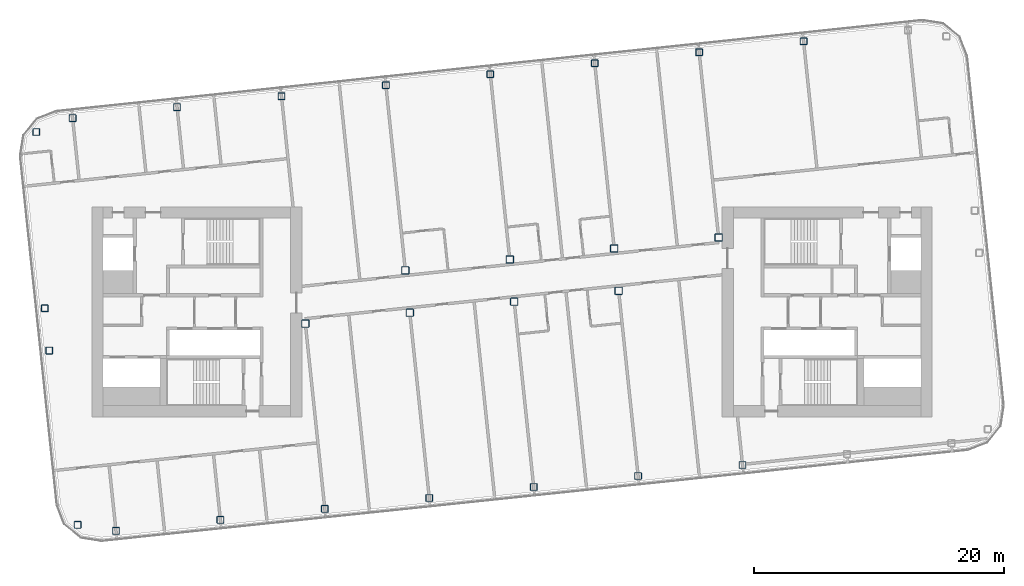
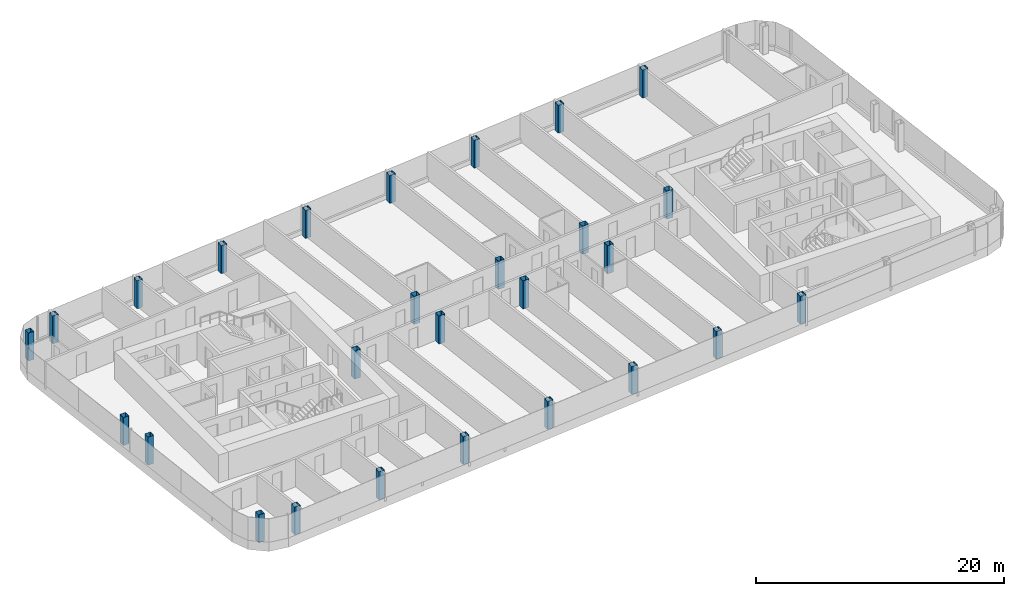
# One storey, part 1 of 27: 27 columns.
"""IFC4 building model written with IfcOpenShell, lengths in metres."""

import ifcopenshell
import ifcopenshell.guid

model = None  # the IFC model being written
_history = None  # IfcOwnerHistory: only IFC2X3 demands one
_inside = {}  # id of a spatial element -> (the spatial element, [elements in it])
_under = {}  # id of a project, library or spatial element -> (it, [spatial elements below it])
_declared = {}  # id of a project -> (the project, [libraries it declares])
_typed = {}  # id of a type object -> (the type object, [elements of that type])
_made_of = {}  # id of a material, layer set ... -> (it, [elements and type objects made of it])


def new_model(schema):
    """Start an empty IFC model of exactly this schema.

    Asked for "IFC4X3", IfcOpenShell would pick the latest addendum, in which some entities
    have other attributes; the version numbers below select the first issue.
    IFC2X3 requires an IfcOwnerHistory on every rooted entity: one is made here for all.
    """
    global model, _history
    if schema == "IFC4X3":
        model = ifcopenshell.file(schema_version=(4, 3, 0, 0))
    else:
        model = ifcopenshell.file(schema=schema)
    _inside.clear()
    _under.clear()
    _declared.clear()
    _typed.clear()
    _made_of.clear()
    _history = None
    if model.schema == "IFC2X3":
        org = make("IfcOrganization", Name="unknown")
        user = make(
            "IfcPersonAndOrganization",
            ThePerson=make("IfcPerson", FamilyName="unknown"),
            TheOrganization=org,
        )
        app = make(
            "IfcApplication",
            ApplicationDeveloper=org,
            Version="unknown",
            ApplicationFullName="unknown",
            ApplicationIdentifier="unknown",
        )
        _history = make(
            "IfcOwnerHistory",
            OwningUser=user,
            OwningApplication=app,
            ChangeAction="ADDED",
            CreationDate=0,
        )
    return model


def make(cls, **values):
    """One entity of the class cls with the attributes given. An attribute that is None is left unset."""
    return model.create_entity(
        cls, **{name: value for name, value in values.items() if value is not None}
    )


def rooted(cls, **values):
    """An entity with a GlobalId (a new one), such as an element, a storey or a relation."""
    return make(cls, GlobalId=ifcopenshell.guid.new(), OwnerHistory=_history, **values)


def si_unit(unit_type, name, prefix=None):
    """IfcSIUnit, for example si_unit("LENGTHUNIT", "METRE", prefix="MILLI")."""
    return make("IfcSIUnit", UnitType=unit_type, Prefix=prefix, Name=name)


def assignment(units):
    """IfcUnitAssignment: the units of a project."""
    return None if units is None else make("IfcUnitAssignment", Units=units)


def point(xyz):
    """IfcCartesianPoint."""
    return None if xyz is None else make("IfcCartesianPoint", Coordinates=xyz)


def direction(xyz):
    """IfcDirection."""
    return None if xyz is None else make("IfcDirection", DirectionRatios=xyz)


def frame(location, z_axis=None, x_axis=None):
    """IfcAxis2Placement3D, a coordinate frame: its origin and axes. An axis left out is left unset."""
    return make(
        "IfcAxis2Placement3D",
        Location=point(location),
        Axis=direction(z_axis),
        RefDirection=direction(x_axis),
    )


def frame_2d(location, x_axis=None):
    """IfcAxis2Placement2D, a coordinate frame in the plane: its origin and x axis."""
    return make(
        "IfcAxis2Placement2D", Location=point(location), RefDirection=direction(x_axis)
    )


def origin():
    """The frame at (0, 0, 0) with its axes left unset."""
    return frame((0.0, 0.0, 0.0))


def origin_2d():
    """The frame at (0, 0) in the plane with its x axis left unset."""
    return frame_2d((0.0, 0.0))


def place(relative_to, where):
    """IfcLocalPlacement: puts the frame where relative to a parent placement (None: the world)."""
    return make(
        "IfcLocalPlacement", PlacementRelTo=relative_to, RelativePlacement=where
    )


def context(
    kind, dimensions, precision=None, world=None, true_north=None, identifier=None
):
    """IfcGeometricRepresentationContext, for example the 3D "Model" context."""
    return make(
        "IfcGeometricRepresentationContext",
        ContextIdentifier=identifier,
        ContextType=kind,
        CoordinateSpaceDimension=dimensions,
        Precision=precision,
        WorldCoordinateSystem=world,
        TrueNorth=true_north,
    )


def subcontext(parent, identifier, kind, view, scale=None):
    """IfcGeometricRepresentationSubContext, for example "Body" below "Model"."""
    return make(
        "IfcGeometricRepresentationSubContext",
        ContextIdentifier=identifier,
        ContextType=kind,
        ParentContext=parent,
        TargetScale=scale,
        TargetView=view,
    )


def project(units=None, contexts=None):
    """IfcProject with its units and contexts."""
    return rooted(
        "IfcProject",
        Name="project",
        RepresentationContexts=contexts,
        UnitsInContext=assignment(units),
    )


def spatial(cls, under=None, at=None, **own):
    """A site, building, storey or space (cls), placed at a placement, below another one or the project."""
    s = rooted(cls, ObjectPlacement=at, **own)
    if under is not None:
        _under.setdefault(under.id(), (under, []))[1].append(s)
    return s


def profile(cls, at=None, kind="AREA", **sizes):
    """A parametric profile (cls). Its sizes go by their IFC names, for example OverallWidth=200.0."""
    return make(cls, ProfileType=kind, Position=at, **sizes)


def hollow_rectangle(**sizes):
    """IfcRectangleHollowProfileDef."""
    return profile("IfcRectangleHollowProfileDef", **sizes)


def extrude(swept, where, along, depth):
    """IfcExtrudedAreaSolid: the profile swept, set in the frame where, extruded along a direction by depth."""
    return make(
        "IfcExtrudedAreaSolid",
        SweptArea=swept,
        Position=where,
        ExtrudedDirection=direction(along),
        Depth=depth,
    )


def shape(context_of_items, identifier, shape_type, items):
    """IfcShapeRepresentation: the items that make up one representation, for example the "Body"."""
    return make(
        "IfcShapeRepresentation",
        ContextOfItems=context_of_items,
        RepresentationIdentifier=identifier,
        RepresentationType=shape_type,
        Items=items,
    )


def material(Name=None, Category=None):
    """IfcMaterial."""
    return make("IfcMaterial", Name=Name, Category=Category)


def material_profile(
    of_material, cross_section, Name=None, Category=None, Priority=None
):
    """IfcMaterialProfile: a cross section and its material."""
    return make(
        "IfcMaterialProfile",
        Name=Name,
        Material=of_material,
        Profile=cross_section,
        Priority=Priority,
        Category=Category,
    )


def profile_set(profiles, Name=None, composite=None):
    """IfcMaterialProfileSet."""
    return make(
        "IfcMaterialProfileSet",
        Name=Name,
        MaterialProfiles=profiles,
        CompositeProfile=composite,
    )


def made_of(thing, what):
    """Note that an element or type object is made of a material, layer set ...; save() writes the relation."""
    if what is not None:
        _made_of.setdefault(what.id(), (what, []))[1].append(thing)
    return thing


def type_object(cls, material=None, **own):
    """A type object (cls), such as IfcWallType, which elements share."""
    return made_of(rooted(cls, **own), material)


def element(
    cls,
    number,
    at=None,
    inside=None,
    cuts=None,
    type_object=None,
    material=None,
    context=None,
    identifier="Body",
    shape_type=None,
    held_by="IfcProductDefinitionShape",
    body=None,
    shapes=None,
    **own,
):
    """One element of the class cls, such as IfcWall. Its Tag is "e" and its number.

    at: its placement. inside: the storey or other place that contains it. cuts: it is an
    opening in that element (IfcRelVoidsElement). A single representation is given by context,
    identifier, shape_type and body (its items); several are given by shapes. held_by: the class
    of the entity that holds the representations. save() writes the other relations.
    """
    e = rooted(cls, Tag="e%d" % number, ObjectPlacement=at, **own)
    if body is not None:
        shapes = [shape(context, identifier, shape_type, body)]
    if shapes is not None:
        e.Representation = make(held_by, Representations=shapes)
    if inside is not None:
        _inside.setdefault(inside.id(), (inside, []))[1].append(e)
    if cuts is not None:
        rooted(
            "IfcRelVoidsElement", RelatingBuildingElement=cuts, RelatedOpeningElement=e
        )
    if type_object is not None:
        _typed.setdefault(type_object.id(), (type_object, []))[1].append(e)
    return made_of(e, material)


def aggregate(whole, parts):
    """IfcRelAggregates: a whole, such as a stair, and the parts it consists of."""
    return rooted("IfcRelAggregates", RelatingObject=whole, RelatedObjects=parts)


def save(model, path):
    """Write the relations noted so far, then the file.

    IfcRelAggregates (storeys below a building ...), IfcRelContainedInSpatialStructure (elements
    in a storey), IfcRelDefinesByType, IfcRelAssociatesMaterial and IfcRelDeclares: one each for
    every whole, place, type object, material and project.
    """
    for whole, parts in _under.values():
        aggregate(whole, parts)
    for where, things in _inside.values():
        rooted(
            "IfcRelContainedInSpatialStructure",
            RelatedElements=things,
            RelatingStructure=where,
        )
    for kind, things in _typed.values():
        rooted("IfcRelDefinesByType", RelatedObjects=things, RelatingType=kind)
    for what, things in _made_of.values():
        rooted("IfcRelAssociatesMaterial", RelatedObjects=things, RelatingMaterial=what)
    for by, libraries in _declared.values():
        rooted("IfcRelDeclares", RelatingContext=by, RelatedDefinitions=libraries)
    model.write(path)


model = new_model("IFC4")

# Units and contexts
model_context = context("Model", 3, precision=1e-05, world=origin(), true_north=direction((0.0, 1.0)))
body_context = subcontext(model_context, "Body", "Model", "MODEL_VIEW")
ifc_project = project(units=[si_unit("LENGTHUNIT", "METRE"), si_unit("AREAUNIT", "SQUARE_METRE"), si_unit("VOLUMEUNIT", "CUBIC_METRE"), si_unit("PLANEANGLEUNIT", "RADIAN"), si_unit("MASSUNIT", "GRAM", prefix="KILO")], contexts=[model_context])

# Site, building, storey
site_placement = place(None, origin())
site = spatial("IfcSite", under=ifc_project, at=site_placement, CompositionType="ELEMENT")
building_placement = place(site_placement, origin())
building = spatial("IfcBuilding", under=site, at=building_placement, Name="Hakoniwa Tower and Hamabe Station Hall", CompositionType="ELEMENT")
storey_placement = place(building_placement, frame((0.0, 0.0, 261.39990234375)))
storey = spatial("IfcBuildingStorey", under=building, at=storey_placement, Name="L74", CompositionType="ELEMENT", Elevation=261.39990234375)

# Columns
ifc_material_1 = material(Name="Steel BCP325", Category="steel")
ifc_material_profile_1 = material_profile(ifc_material_1, hollow_rectangle(XDim=0.550048828125, YDim=0.550048828125, WallThickness=0.02197265625, InnerFilletRadius=0.032958984375, OuterFilletRadius=0.054931640625, at=origin_2d()), Name="BCP-550x550x22")
ifc_profile_set_1 = profile_set([ifc_material_profile_1], Name="Steel BCP325")
column_type_1 = type_object("IfcColumnType", Name="COLUMN BCP-550x550x22", PredefinedType="COLUMN", material=ifc_profile_set_1)
for number, where, z_axis, x_axis, name in (
    (1, (-34.750732421875, -17.04248046875, 0.0), (0.0, 0.0, 1.0), (1.0, 0.0, 0.0), "Column B5-EW-A5"),
    (2, (-37.017333984375, -3.10009765625, 0.0), (0.0, 0.0, 1.0), (1.0, 0.0, 0.0), "Column B5-EW-C5"),
    (3, (-37.372802734375, 0.28125, 0.0), (0.0, 0.0, 1.0), (1.0, 0.0, 0.0), "Column B5-EW-D5"),
    (4, (-38.054443359375, 14.390380859375, 0.0), (0.0, 0.0, 1.0), (1.0, 0.0, 0.0), "Column B5-EW-F5"),
    (5, (-31.680908203125, -17.521240234375, 0.0), (0.0, 0.0, 1.0), (1.0, 0.0, 0.0), "Column B5-3-A5"),
    (6, (-35.151123046875, 15.496826171875, 0.0), (0.0, 0.0, 1.0), (1.0, 0.0, 0.0), "Column B5-3-F5"),
    (7, (-23.326904296875, -16.643310546875, 0.0), (0.0, 0.0, 1.0), (1.0, 0.0, 0.0), "Column B5-4-A5"),
    (8, (-26.797119140625, 16.375, 0.0), (0.0, 0.0, 1.0), (1.0, 0.0, 0.0), "Column B5-4-F5"),
    (9, (-14.972900390625, -15.76513671875, 0.0), (0.0, 0.0, 1.0), (1.0, 0.0, 0.0), "Column B5-5-A5"),
    (10, (-18.443115234375, 17.2529296875, 0.0), (0.0, 0.0, 1.0), (1.0, 0.0, 0.0), "Column B5-5-F5"),
    (11, (-6.618896484375, -14.88720703125, 0.0), (0.0, 0.0, 1.0), (1.0, 0.0, 0.0), "Column B5-6-A5"),
    (12, (-10.089111328125, 18.131103515625, 0.0), (0.0, 0.0, 1.0), (1.0, 0.0, 0.0), "Column B5-6-F5"),
    (13, (1.735107421875, -14.009033203125, 0.0), (0.0, 0.0, 1.0), (1.0, 0.0, 0.0), "Column B5-7-A5"),
    (14, (-1.735107421875, 19.009033203125, 0.0), (0.0, 0.0, 1.0), (1.0, 0.0, 0.0), "Column B5-7-F5"),
    (15, (10.089111328125, -13.131103515625, 0.0), (0.0, 0.0, 1.0), (1.0, 0.0, 0.0), "Column B5-8-A5"),
    (16, (6.618896484375, 19.88720703125, 0.0), (0.0, 0.0, 1.0), (1.0, 0.0, 0.0), "Column B5-8-F5"),
    (17, (18.443115234375, -12.2529296875, 0.0), (0.0, 0.0, 1.0), (1.0, 0.0, 0.0), "Column B5-9-A5"),
    (18, (14.972900390625, 20.76513671875, 0.0), (0.0, 0.0, 1.0), (1.0, 0.0, 0.0), "Column B5-9-F5"),
    (19, (23.326904296875, 21.643310546875, 0.0), (0.0, 0.0, 1.0), (1.0, 0.0, 0.0), "Column B5-10-F5"),
):
    element("IfcColumn", number, at=place(storey_placement, frame(where, z_axis=z_axis, x_axis=x_axis)), inside=storey, type_object=column_type_1, Name=name, PredefinedType="COLUMN", context=body_context, shape_type="SweptSolid", body=[
        extrude(hollow_rectangle(XDim=0.550048828125, YDim=0.550048828125, WallThickness=0.02197265625, InnerFilletRadius=0.032958984375, OuterFilletRadius=0.054931640625, at=origin_2d()), origin(), (0.0, 0.0, 1.0), 2.75),
    ])
ifc_material_2 = material(Name="Steel BCP325", Category="steel")
ifc_material_profile_2 = material_profile(ifc_material_2, hollow_rectangle(XDim=0.60009765625, YDim=0.60009765625, WallThickness=0.02490234375, InnerFilletRadius=0.03759765625, OuterFilletRadius=0.0625, at=origin_2d()), Name="BCP-600x600x25")
ifc_profile_set_2 = profile_set([ifc_material_profile_2], Name="Steel BCP325")
column_type_2 = type_object("IfcColumnType", Name="COLUMN BCP-600x600x25", PredefinedType="COLUMN", material=ifc_profile_set_2)
for number, where, z_axis, x_axis, name in (
    (20, (-16.5302734375, -0.94677734375, 0.0), (0.0, 0.0, 1.0), (1.0, 0.0, 0.0), "Column B5-5-C5"),
    (21, (-8.17626953125, -0.068603515625, 0.0), (0.0, 0.0, 1.0), (1.0, 0.0, 0.0), "Column B5-6-C5"),
    (22, (-8.53173828125, 3.3125, 0.0), (0.0, 0.0, 1.0), (1.0, 0.0, 0.0), "Column B5-6-D5"),
    (23, (0.177734375, 0.809326171875, 0.0), (0.0, 0.0, 1.0), (1.0, 0.0, 0.0), "Column B5-7-C5"),
    (24, (-0.177734375, 4.190673828125, 0.0), (0.0, 0.0, 1.0), (1.0, 0.0, 0.0), "Column B5-7-D5"),
    (25, (8.53173828125, 1.6875, 0.0), (0.0, 0.0, 1.0), (1.0, 0.0, 0.0), "Column B5-8-C5"),
    (26, (8.17626953125, 5.068603515625, 0.0), (0.0, 0.0, 1.0), (1.0, 0.0, 0.0), "Column B5-8-D5"),
    (27, (16.5302734375, 5.94677734375, 0.0), (0.0, 0.0, 1.0), (1.0, 0.0, 0.0), "Column B5-9-D5"),
):
    element("IfcColumn", number, at=place(storey_placement, frame(where, z_axis=z_axis, x_axis=x_axis)), inside=storey, type_object=column_type_2, Name=name, PredefinedType="COLUMN", context=body_context, shape_type="SweptSolid", body=[
        extrude(hollow_rectangle(XDim=0.60009765625, YDim=0.60009765625, WallThickness=0.02490234375, InnerFilletRadius=0.03759765625, OuterFilletRadius=0.0625, at=origin_2d()), origin(), (0.0, 0.0, 1.0), 2.75),
    ])

save(model, "model.ifc")
